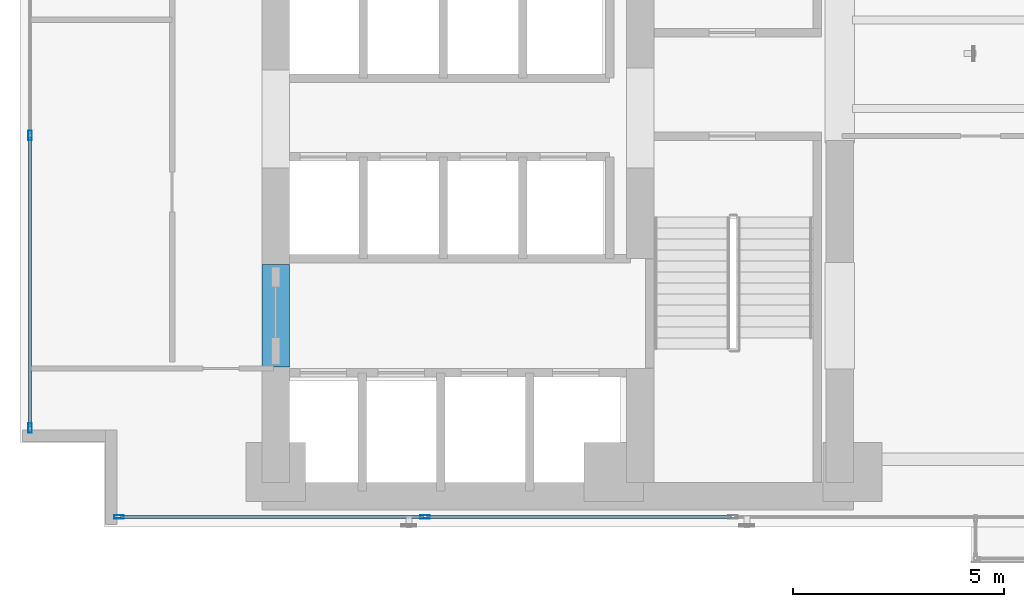
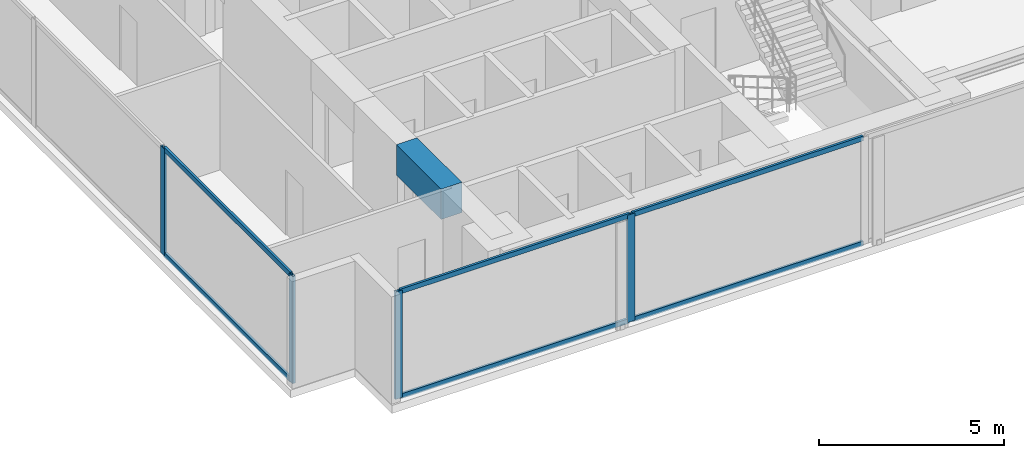
# One storey, part 2 of 24: 10 members, 1 beam, 2 elements without a shape of their own.
"""IFC4 building model written with IfcOpenShell, lengths in metres."""

from ifc_helpers import new_model, si_unit, direction, frame, origin, origin_with_axes, origin_2d, place, context, subcontext, project, spatial, rectangle, hollow_rectangle, extrude, source, transform, mapped, material, layer, layer_set, material_profile, profile_set, type_object, element, aggregate, save


model = new_model("IFC4")

# Units and contexts
model_context = context("Model", 3, precision=1e-05, world=origin(), true_north=direction((0.0, 1.0)))
body_context = subcontext(model_context, "Body", "Model", "MODEL_VIEW")
ifc_project = project(units=[si_unit("LENGTHUNIT", "METRE"), si_unit("AREAUNIT", "SQUARE_METRE"), si_unit("VOLUMEUNIT", "CUBIC_METRE"), si_unit("PLANEANGLEUNIT", "RADIAN"), si_unit("MASSUNIT", "GRAM", prefix="KILO")], contexts=[model_context])

# Site, building, storey
site_placement = place(None, origin())
site = spatial("IfcSite", under=ifc_project, at=site_placement, CompositionType="ELEMENT")
building_placement = place(site_placement, origin())
building = spatial("IfcBuilding", under=site, at=building_placement, Name="Kolvaren Waterfront Exchange", CompositionType="ELEMENT")
storey_placement = place(building_placement, frame((0.0, 0.0, 91.699951171875)))
storey = spatial("IfcBuildingStorey", under=building, at=storey_placement, Name="L23", CompositionType="ELEMENT", Elevation=91.699951171875)

# Beam
ifc_material_1 = material(Name="Concrete C60/75", Category="concrete")
ifc_material_profile_1 = material_profile(ifc_material_1, rectangle(XDim=0.64990234375, YDim=1.0, at=origin_2d()), Name="RC-CB-1000x650")
ifc_profile_set_1 = profile_set([ifc_material_profile_1], Name="Concrete C60/75")
beam_type = type_object("IfcBeamType", Name="STR-CB-1000", PredefinedType="SPANDREL", material=ifc_profile_set_1)
beam_placement = place(storey_placement, frame((7.449951171875, 7.389892578125, 3.0400390625), z_axis=(0.0, 1.0, 0.0), x_axis=(-1.0, 0.0, 0.0)))
element("IfcBeam", 1, at=beam_placement, inside=storey, type_object=beam_type, Name="L23 core coupling beam 3", PredefinedType="SPANDREL", context=body_context, shape_type="SweptSolid", body=[
    extrude(rectangle(XDim=0.64990234375, YDim=1.0, at=origin_2d()), origin(), (0.0, 0.0, 1.0), 2.420166015625),
])

# Curtain wall, members
ifc_material_2 = material(Name="Anodised bronze aluminium 6063-T6", Category="aluminium")
ifc_layer_1 = layer(ifc_material_2, 0.219970703125, Name="Anodised bronze aluminium 6063-T6")
ifc_layer_set_1 = layer_set([ifc_layer_1], Name="Anodised bronze aluminium 6063-T6")
curtain_wall_type_1 = type_object("IfcCurtainWallType", Name="ARC-CW-SYS1", PredefinedType="USERDEFINED", material=ifc_layer_set_1)
curtain_wall_1_placement = place(storey_placement, origin())
curtain_wall_1 = element("IfcCurtainWall", 2, at=curtain_wall_1_placement, inside=storey, type_object=curtain_wall_type_1, Name="L23 stick curtain wall CW1 (CW-L23-S)", ObjectType="STICK CURTAIN WALL", PredefinedType="USERDEFINED")
ifc_material_3 = material(Name="Anodised aluminium 6063-T6", Category="aluminium")
ifc_material_profile_2 = material_profile(ifc_material_3, hollow_rectangle(XDim=0.080078125, YDim=0.219970703125, WallThickness=0.0048828125, at=origin_2d()), Name="ALU-MUL-220x80x5")
ifc_profile_set_2 = profile_set([ifc_material_profile_2], Name="Anodised aluminium 6063-T6")
member_type_1 = type_object("IfcMemberType", Name="ARC-CWM-220", PredefinedType="MULLION", material=ifc_profile_set_2)
shared_shape_1 = source(origin_with_axes(), body_context, "Body", "SweptSolid", [
    extrude(hollow_rectangle(XDim=0.080078125, YDim=0.219970703125, WallThickness=0.0048828125, at=origin_2d()), origin(), (0.0, 0.0, 1.0), 3.5400390625),
])
member_1_placement = place(storey_placement, frame((3.739990234375, 3.840087890625, 0.0), z_axis=(0.0, 0.0, 1.0), x_axis=(0.0, 1.0, 0.0)))
member_1 = element("IfcMember", 3, at=member_1_placement, type_object=member_type_1, Name="CW1 mullion 1", PredefinedType="MULLION", context=body_context, shape_type="MappedRepresentation", body=[
    mapped(shared_shape_1, transform((0.0, 0.0, 0.0), x_axis=(1.0, 0.0, 0.0), y_axis=(0.0, 1.0, 0.0), z_axis=(0.0, 0.0, 1.0), scale=1.0)),
])
member_2_placement = place(storey_placement, frame((10.985595703125, 3.840087890625, 0.0), z_axis=(0.0, 0.0, 1.0), x_axis=(0.0, 1.0, 0.0)))
member_2 = element("IfcMember", 4, at=member_2_placement, type_object=member_type_1, Name="CW1 mullion 2", PredefinedType="MULLION", context=body_context, shape_type="MappedRepresentation", body=[
    mapped(shared_shape_1, transform((0.0, 0.0, 0.0), x_axis=(1.0, 0.0, 0.0), y_axis=(0.0, 1.0, 0.0), z_axis=(0.0, 0.0, 1.0), scale=1.0)),
])

ifc_layer_2 = layer(ifc_material_3, 0.219970703125, Name="Anodised aluminium 6063-T6")
ifc_layer_set_2 = layer_set([ifc_layer_2], Name="Anodised aluminium 6063-T6")
curtain_wall_type_2 = type_object("IfcCurtainWallType", Name="ARC-CW-SYS2", PredefinedType="USERDEFINED", material=ifc_layer_set_2)
curtain_wall_2_placement = place(storey_placement, origin())
curtain_wall_2 = element("IfcCurtainWall", 5, at=curtain_wall_2_placement, inside=storey, type_object=curtain_wall_type_2, Name="L23 stick curtain wall CW2 (CW-L23-W)", ObjectType="STICK CURTAIN WALL", PredefinedType="USERDEFINED")
member_3_placement = place(storey_placement, frame((1.639892578125, 5.93994140625, 0.0), z_axis=(0.0, 0.0, 1.0), x_axis=(-1.0, 0.0, 0.0)))
member_3 = element("IfcMember", 6, at=member_3_placement, type_object=member_type_1, Name="CW2 mullion 1", PredefinedType="MULLION", context=body_context, shape_type="MappedRepresentation", body=[
    mapped(shared_shape_1, transform((0.0, 0.0, 0.0), x_axis=(1.0, 0.0, 0.0), y_axis=(0.0, 1.0, 0.0), z_axis=(0.0, 0.0, 1.0), scale=1.0)),
])
member_4_placement = place(storey_placement, frame((1.639892578125, 12.86669921875, 0.0), z_axis=(0.0, 0.0, 1.0), x_axis=(-1.0, 0.0, 0.0)))
member_4 = element("IfcMember", 7, at=member_4_placement, type_object=member_type_1, Name="CW2 mullion 2", PredefinedType="MULLION", context=body_context, shape_type="MappedRepresentation", body=[
    mapped(shared_shape_1, transform((0.0, 0.0, 0.0), x_axis=(1.0, 0.0, 0.0), y_axis=(0.0, 1.0, 0.0), z_axis=(0.0, 0.0, 1.0), scale=1.0)),
])
ifc_material_profile_3 = material_profile(ifc_material_3, hollow_rectangle(XDim=0.074951171875, YDim=0.159912109375, WallThickness=0.00439453125, at=origin_2d()), Name="ALU-TRN-160x75x4.5")
ifc_profile_set_3 = profile_set([ifc_material_profile_3], Name="Anodised aluminium 6063-T6")
member_type_2 = type_object("IfcMemberType", Name="ARC-CWT-160", PredefinedType="USERDEFINED", material=ifc_profile_set_3)
shared_shape_2 = source(origin_with_axes(), body_context, "Body", "SweptSolid", [
    extrude(hollow_rectangle(XDim=0.074951171875, YDim=0.159912109375, WallThickness=0.00439453125, at=origin_2d()), origin(), (0.0, 0.0, 1.0), 6.8466796875),
])
member_5_placement = place(storey_placement, frame((1.639892578125, 5.97998046875, 0.03759765625), z_axis=(0.0, 1.0, 0.0), x_axis=(-1.0, 0.0, 0.0)))
member_5 = element("IfcMember", 8, at=member_5_placement, type_object=member_type_2, Name="CW2 transom 1.1", ObjectType="TRANSOM", PredefinedType="USERDEFINED", context=body_context, shape_type="MappedRepresentation", body=[
    mapped(shared_shape_2, transform((0.0, 0.0, 0.0), x_axis=(1.0, 0.0, 0.0), y_axis=(0.0, 1.0, 0.0), z_axis=(0.0, 0.0, 1.0), scale=1.0)),
])
member_6_placement = place(storey_placement, frame((1.639892578125, 5.97998046875, 3.50244140625), z_axis=(0.0, 1.0, 0.0), x_axis=(-1.0, 0.0, 0.0)))
member_6 = element("IfcMember", 9, at=member_6_placement, type_object=member_type_2, Name="CW2 transom 1.2", ObjectType="TRANSOM", PredefinedType="USERDEFINED", context=body_context, shape_type="MappedRepresentation", body=[
    mapped(shared_shape_2, transform((0.0, 0.0, 0.0), x_axis=(1.0, 0.0, 0.0), y_axis=(0.0, 1.0, 0.0), z_axis=(0.0, 0.0, 1.0), scale=1.0)),
])
aggregate(curtain_wall_2, [member_3, member_4, member_5, member_6])

# Member
shared_shape_3 = source(origin_with_axes(), body_context, "Body", "SweptSolid", [
    extrude(hollow_rectangle(XDim=0.074951171875, YDim=0.159912109375, WallThickness=0.00439453125, at=origin_2d()), origin(), (0.0, 0.0, 1.0), 7.165771484375),
])
member_7_placement = place(storey_placement, frame((3.780029296875, 3.840087890625, 0.03759765625), z_axis=(1.0, 0.0, 0.0), x_axis=(0.0, 1.0, 0.0)))
member_7 = element("IfcMember", 10, at=member_7_placement, type_object=member_type_2, Name="CW1 transom 1.1", ObjectType="TRANSOM", PredefinedType="USERDEFINED", context=body_context, shape_type="MappedRepresentation", body=[
    mapped(shared_shape_3, transform((0.0, 0.0, 0.0), x_axis=(1.0, 0.0, 0.0), y_axis=(0.0, 1.0, 0.0), z_axis=(0.0, 0.0, 1.0), scale=1.0)),
])

member_8_placement = place(storey_placement, frame((3.780029296875, 3.840087890625, 3.50244140625), z_axis=(1.0, 0.0, 0.0), x_axis=(0.0, 1.0, 0.0)))
member_8 = element("IfcMember", 11, at=member_8_placement, type_object=member_type_2, Name="CW1 transom 1.2", ObjectType="TRANSOM", PredefinedType="USERDEFINED", context=body_context, shape_type="MappedRepresentation", body=[
    mapped(shared_shape_3, transform((0.0, 0.0, 0.0), x_axis=(1.0, 0.0, 0.0), y_axis=(0.0, 1.0, 0.0), z_axis=(0.0, 0.0, 1.0), scale=1.0)),
])

shared_shape_4 = source(origin_with_axes(), body_context, "Body", "SweptSolid", [
    extrude(hollow_rectangle(XDim=0.074951171875, YDim=0.159912109375, WallThickness=0.00439453125, at=origin_2d()), origin(), (0.0, 0.0, 1.0), 7.205810546875),
])
member_9_placement = place(storey_placement, frame((11.025634765625, 3.840087890625, 0.03759765625), z_axis=(1.0, 0.0, 0.0), x_axis=(0.0, 1.0, 0.0)))
member_9 = element("IfcMember", 12, at=member_9_placement, type_object=member_type_2, Name="CW1 transom 2.1", ObjectType="TRANSOM", PredefinedType="USERDEFINED", context=body_context, shape_type="MappedRepresentation", body=[
    mapped(shared_shape_4, transform((0.0, 0.0, 0.0), x_axis=(1.0, 0.0, 0.0), y_axis=(0.0, 1.0, 0.0), z_axis=(0.0, 0.0, 1.0), scale=1.0)),
])

member_10_placement = place(storey_placement, frame((11.025634765625, 3.840087890625, 3.50244140625), z_axis=(1.0, 0.0, 0.0), x_axis=(0.0, 1.0, 0.0)))
member_10 = element("IfcMember", 13, at=member_10_placement, type_object=member_type_2, Name="CW1 transom 2.2", ObjectType="TRANSOM", PredefinedType="USERDEFINED", context=body_context, shape_type="MappedRepresentation", body=[
    mapped(shared_shape_4, transform((0.0, 0.0, 0.0), x_axis=(1.0, 0.0, 0.0), y_axis=(0.0, 1.0, 0.0), z_axis=(0.0, 0.0, 1.0), scale=1.0)),
])

aggregate(curtain_wall_1, [member_1, member_2, member_7, member_8, member_9, member_10])

save(model, "model.ifc")
